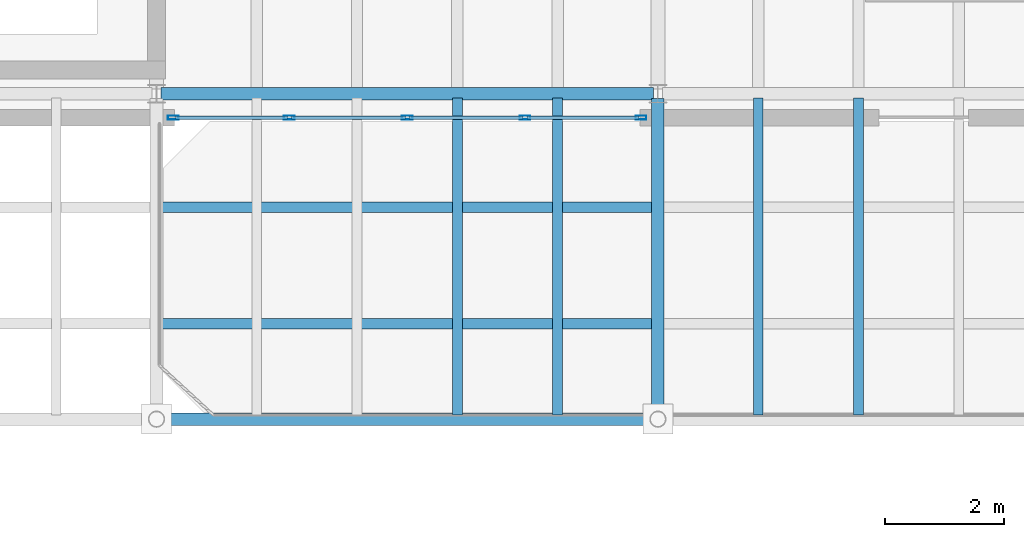
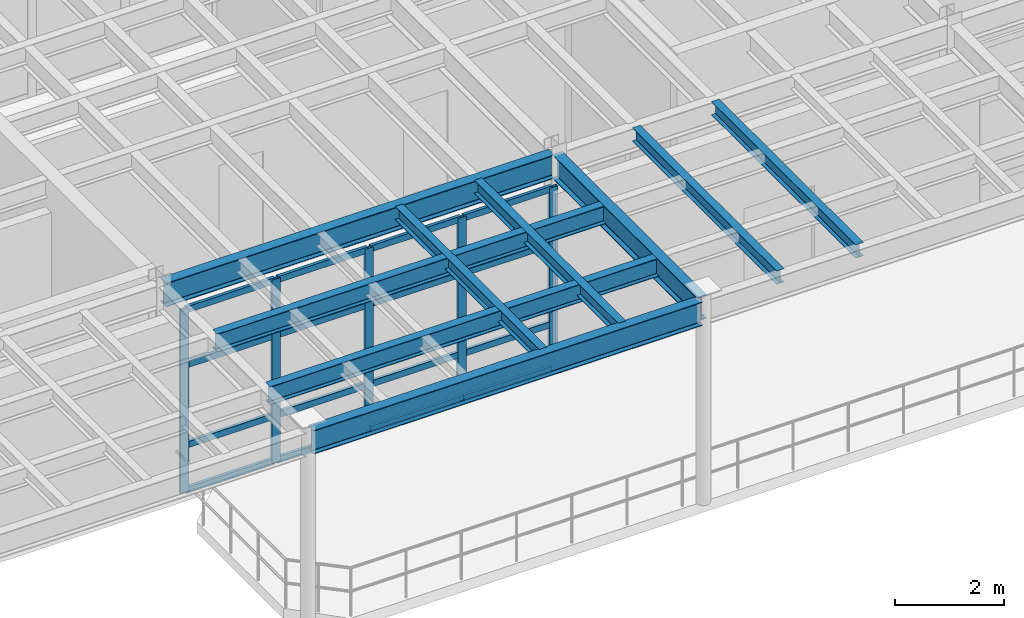
# One storey, part 39 of 105: 21 members, 9 beams, 1 element without a shape of its own.
"""IFC4 building model written with IfcOpenShell, lengths in metres."""

from ifc_helpers import new_model, si_unit, direction, frame, origin, origin_2d, place, context, subcontext, project, spatial, hollow_rectangle, i_section, extrude, material, layer, layer_set, material_profile, profile_set, type_object, element, aggregate, save


model = new_model("IFC4")

# Units and contexts
model_context = context("Model", 3, precision=1e-05, world=origin(), true_north=direction((0.0, 1.0)))
body_context = subcontext(model_context, "Body", "Model", "MODEL_VIEW")
ifc_project = project(units=[si_unit("LENGTHUNIT", "METRE"), si_unit("AREAUNIT", "SQUARE_METRE"), si_unit("VOLUMEUNIT", "CUBIC_METRE"), si_unit("PLANEANGLEUNIT", "RADIAN"), si_unit("MASSUNIT", "GRAM", prefix="KILO")], contexts=[model_context])

# Site, building, storey
site_placement = place(None, origin())
site = spatial("IfcSite", under=ifc_project, at=site_placement, CompositionType="ELEMENT")
building_placement = place(site_placement, origin())
building = spatial("IfcBuilding", under=site, at=building_placement, Name="Selat Folded Stagehouse", CompositionType="ELEMENT")
storey_placement = place(building_placement, frame((0.0, 0.0, 10.199951171875)))
storey = spatial("IfcBuildingStorey", under=building, at=storey_placement, Name="L02", CompositionType="ELEMENT", Elevation=10.199951171875)

# Beams
ifc_material_1 = material(Name="Steel S355", Category="steel")
ifc_material_profile_1 = material_profile(ifc_material_1, i_section(OverallWidth=0.210693359375, OverallDepth=0.53955078125, WebThickness=0.01171875, FlangeThickness=0.018798828125, FilletRadius=0.0126953125, at=origin_2d()), Name="UKB 533x210x109")
ifc_profile_set_1 = profile_set([ifc_material_profile_1], Name="Steel S355")
beam_type_1 = type_object("IfcBeamType", Name="BM-GIRD-533x210x109", PredefinedType="BEAM", material=ifc_profile_set_1)
beam_1_placement = place(storey_placement, frame((92.39990234375, 0.418212890625, 4.305419921875), z_axis=(0.0, 1.0, 0.0), x_axis=(-1.0, 0.0, 0.0)))
element("IfcBeam", 1, at=beam_1_placement, inside=storey, type_object=beam_type_1, Name="L02 primary y-girder 1065", PredefinedType="BEAM", context=body_context, shape_type="SweptSolid", body=[
    extrude(i_section(OverallWidth=0.210693359375, OverallDepth=0.53955078125, WebThickness=0.01171875, FlangeThickness=0.018798828125, FilletRadius=0.0126953125, at=origin_2d()), origin(), (0.0, 0.0, 1.0), 5.3046875),
])
ifc_material_profile_2 = material_profile(ifc_material_1, i_section(OverallWidth=0.209228515625, OverallDepth=0.533203125, WebThickness=0.010009765625, FlangeThickness=0.015625, FilletRadius=0.0126953125, at=origin_2d()), Name="UKB 533x210x92")
ifc_profile_set_2 = profile_set([ifc_material_profile_2], Name="Steel S355")
beam_type_2 = type_object("IfcBeamType", Name="BM-GIRD-533x210x92", PredefinedType="BEAM", material=ifc_profile_set_2)
beam_2_placement = place(storey_placement, frame((84.068359375, 0.35009765625, 4.308349609375), z_axis=(1.0, 0.0, 0.0), x_axis=(0.0, 1.0, 0.0)))
element("IfcBeam", 2, at=beam_2_placement, inside=storey, type_object=beam_type_2, Name="L02 primary x-girder 0987", PredefinedType="BEAM", context=body_context, shape_type="SweptSolid", body=[
    extrude(i_section(OverallWidth=0.209228515625, OverallDepth=0.533203125, WebThickness=0.010009765625, FlangeThickness=0.015625, FilletRadius=0.0126953125, at=origin_2d()), origin(), (0.0, 0.0, 1.0), 8.263427734375),
])
beam_3_placement = place(storey_placement, frame((84.076904296875, 5.800048828125, 4.308349609375), z_axis=(1.0, 0.0, 0.0), x_axis=(0.0, 1.0, 0.0)))
element("IfcBeam", 3, at=beam_3_placement, inside=storey, type_object=beam_type_2, Name="L02 primary x-girder 0995", PredefinedType="BEAM", context=body_context, shape_type="SweptSolid", body=[
    extrude(i_section(OverallWidth=0.209228515625, OverallDepth=0.533203125, WebThickness=0.010009765625, FlangeThickness=0.015625, FilletRadius=0.0126953125, at=origin_2d()), origin(), (0.0, 0.0, 1.0), 8.24609375),
])

# Curtain wall, members
ifc_material_2 = material(Name="Aluminium 6063-T6", Category="aluminium")
ifc_layer = layer(ifc_material_2, 0.2099609375)
ifc_layer_set = layer_set([ifc_layer], Name="Aluminium 6063-T6")
curtain_wall_type = type_object("IfcCurtainWallType", Name="CW-FYR-SOUTH", PredefinedType="NOTDEFINED", material=ifc_layer_set)
curtain_wall_placement = place(storey_placement, origin())
curtain_wall = element("IfcCurtainWall", 4, at=curtain_wall_placement, inside=storey, type_object=curtain_wall_type, Name="L02 curtain wall CW-FYR-L02-04", PredefinedType="NOTDEFINED")
ifc_material_profile_3 = material_profile(ifc_material_2, hollow_rectangle(XDim=0.06494140625, YDim=0.179931640625, WallThickness=0.00390625, at=origin_2d()), Name="ALU 180x65x4.0")
ifc_profile_set_3 = profile_set([ifc_material_profile_3], Name="Aluminium 6063-T6")
member_type_1 = type_object("IfcMemberType", Name="CWM-MUL-180x65", PredefinedType="MULLION", material=ifc_profile_set_3)
member_1_placement = place(storey_placement, frame((92.117431640625, 5.39990234375, 0.0), z_axis=(0.0, 0.0, 1.0), x_axis=(0.0, -1.0, 0.0)))
member_1 = element("IfcMember", 5, at=member_1_placement, type_object=member_type_1, Name="CW-04 mullion 1", PredefinedType="MULLION", context=body_context, shape_type="SweptSolid", body=[
    extrude(hollow_rectangle(XDim=0.06494140625, YDim=0.179931640625, WallThickness=0.00390625, at=origin_2d()), origin(), (0.0, 0.0, 1.0), 4.1201171875),
])
member_2_placement = place(storey_placement, frame((90.175048828125, 5.39990234375, 0.0), z_axis=(0.0, 0.0, 1.0), x_axis=(0.0, -1.0, 0.0)))
member_2 = element("IfcMember", 6, at=member_2_placement, type_object=member_type_1, Name="CW-04 mullion 2", PredefinedType="MULLION", context=body_context, shape_type="SweptSolid", body=[
    extrude(hollow_rectangle(XDim=0.06494140625, YDim=0.179931640625, WallThickness=0.00390625, at=origin_2d()), origin(), (0.0, 0.0, 1.0), 4.1201171875),
])
member_3_placement = place(storey_placement, frame((88.199951171875, 5.39990234375, 0.0), z_axis=(0.0, 0.0, 1.0), x_axis=(0.0, -1.0, 0.0)))
member_3 = element("IfcMember", 7, at=member_3_placement, type_object=member_type_1, Name="CW-04 mullion 3", PredefinedType="MULLION", context=body_context, shape_type="SweptSolid", body=[
    extrude(hollow_rectangle(XDim=0.06494140625, YDim=0.179931640625, WallThickness=0.00390625, at=origin_2d()), origin(), (0.0, 0.0, 1.0), 4.1201171875),
])
member_4_placement = place(storey_placement, frame((86.22509765625, 5.39990234375, 0.0), z_axis=(0.0, 0.0, 1.0), x_axis=(0.0, -1.0, 0.0)))
member_4 = element("IfcMember", 8, at=member_4_placement, type_object=member_type_1, Name="CW-04 mullion 4", PredefinedType="MULLION", context=body_context, shape_type="SweptSolid", body=[
    extrude(hollow_rectangle(XDim=0.06494140625, YDim=0.179931640625, WallThickness=0.00390625, at=origin_2d()), origin(), (0.0, 0.0, 1.0), 4.1201171875),
])
member_5_placement = place(storey_placement, frame((84.282470703125, 5.39990234375, 0.0), z_axis=(0.0, 0.0, 1.0), x_axis=(0.0, -1.0, 0.0)))
member_5 = element("IfcMember", 9, at=member_5_placement, type_object=member_type_1, Name="CW-04 mullion 5", PredefinedType="MULLION", context=body_context, shape_type="SweptSolid", body=[
    extrude(hollow_rectangle(XDim=0.06494140625, YDim=0.179931640625, WallThickness=0.00390625, at=origin_2d()), origin(), (0.0, 0.0, 1.0), 4.1201171875),
])
ifc_material_profile_4 = material_profile(ifc_material_2, hollow_rectangle(XDim=0.06494140625, YDim=0.139892578125, WallThickness=0.00390625, at=origin_2d()), Name="ALU 140x65x4.0")
ifc_profile_set_4 = profile_set([ifc_material_profile_4], Name="Aluminium 6063-T6")
member_type_2 = type_object("IfcMemberType", Name="CWM-TRN-140x65", PredefinedType="USERDEFINED", material=ifc_profile_set_4)
member_6_placement = place(storey_placement, frame((92.0849609375, 5.39990234375, 0.032470703125), z_axis=(-1.0, 0.0, 0.0), x_axis=(0.0, -1.0, 0.0)))
member_6 = element("IfcMember", 10, at=member_6_placement, type_object=member_type_2, Name="CW-04 transom 1.1", ObjectType="TRANSOM", PredefinedType="USERDEFINED", context=body_context, shape_type="SweptSolid", body=[
    extrude(hollow_rectangle(XDim=0.06494140625, YDim=0.139892578125, WallThickness=0.00390625, at=origin_2d()), origin(), (0.0, 0.0, 1.0), 1.87744140625),
])
member_7_placement = place(storey_placement, frame((92.0849609375, 5.39990234375, 1.050048828125), z_axis=(-1.0, 0.0, 0.0), x_axis=(0.0, -1.0, 0.0)))
member_7 = element("IfcMember", 11, at=member_7_placement, type_object=member_type_2, Name="CW-04 transom 1.2", ObjectType="TRANSOM", PredefinedType="USERDEFINED", context=body_context, shape_type="SweptSolid", body=[
    extrude(hollow_rectangle(XDim=0.06494140625, YDim=0.139892578125, WallThickness=0.00390625, at=origin_2d()), origin(), (0.0, 0.0, 1.0), 1.87744140625),
])
member_8_placement = place(storey_placement, frame((92.0849609375, 5.39990234375, 2.85009765625), z_axis=(-1.0, 0.0, 0.0), x_axis=(0.0, -1.0, 0.0)))
member_8 = element("IfcMember", 12, at=member_8_placement, type_object=member_type_2, Name="CW-04 transom 1.3", ObjectType="TRANSOM", PredefinedType="USERDEFINED", context=body_context, shape_type="SweptSolid", body=[
    extrude(hollow_rectangle(XDim=0.06494140625, YDim=0.139892578125, WallThickness=0.00390625, at=origin_2d()), origin(), (0.0, 0.0, 1.0), 1.87744140625),
])
member_9_placement = place(storey_placement, frame((92.0849609375, 5.39990234375, 4.087646484375), z_axis=(-1.0, 0.0, 0.0), x_axis=(0.0, -1.0, 0.0)))
member_9 = element("IfcMember", 13, at=member_9_placement, type_object=member_type_2, Name="CW-04 transom 1.4", ObjectType="TRANSOM", PredefinedType="USERDEFINED", context=body_context, shape_type="SweptSolid", body=[
    extrude(hollow_rectangle(XDim=0.06494140625, YDim=0.139892578125, WallThickness=0.00390625, at=origin_2d()), origin(), (0.0, 0.0, 1.0), 1.87744140625),
])
member_10_placement = place(storey_placement, frame((90.142578125, 5.39990234375, 0.032470703125), z_axis=(-1.0, 0.0, 0.0), x_axis=(0.0, -1.0, 0.0)))
member_10 = element("IfcMember", 14, at=member_10_placement, type_object=member_type_2, Name="CW-04 transom 2.1", ObjectType="TRANSOM", PredefinedType="USERDEFINED", context=body_context, shape_type="SweptSolid", body=[
    extrude(hollow_rectangle(XDim=0.06494140625, YDim=0.139892578125, WallThickness=0.00390625, at=origin_2d()), origin(), (0.0, 0.0, 1.0), 1.91015625),
])
member_11_placement = place(storey_placement, frame((90.142578125, 5.39990234375, 1.050048828125), z_axis=(-1.0, 0.0, 0.0), x_axis=(0.0, -1.0, 0.0)))
member_11 = element("IfcMember", 15, at=member_11_placement, type_object=member_type_2, Name="CW-04 transom 2.2", ObjectType="TRANSOM", PredefinedType="USERDEFINED", context=body_context, shape_type="SweptSolid", body=[
    extrude(hollow_rectangle(XDim=0.06494140625, YDim=0.139892578125, WallThickness=0.00390625, at=origin_2d()), origin(), (0.0, 0.0, 1.0), 1.91015625),
])
member_12_placement = place(storey_placement, frame((90.142578125, 5.39990234375, 2.85009765625), z_axis=(-1.0, 0.0, 0.0), x_axis=(0.0, -1.0, 0.0)))
member_12 = element("IfcMember", 16, at=member_12_placement, type_object=member_type_2, Name="CW-04 transom 2.3", ObjectType="TRANSOM", PredefinedType="USERDEFINED", context=body_context, shape_type="SweptSolid", body=[
    extrude(hollow_rectangle(XDim=0.06494140625, YDim=0.139892578125, WallThickness=0.00390625, at=origin_2d()), origin(), (0.0, 0.0, 1.0), 1.91015625),
])
member_13_placement = place(storey_placement, frame((90.142578125, 5.39990234375, 4.087646484375), z_axis=(-1.0, 0.0, 0.0), x_axis=(0.0, -1.0, 0.0)))
member_13 = element("IfcMember", 17, at=member_13_placement, type_object=member_type_2, Name="CW-04 transom 2.4", ObjectType="TRANSOM", PredefinedType="USERDEFINED", context=body_context, shape_type="SweptSolid", body=[
    extrude(hollow_rectangle(XDim=0.06494140625, YDim=0.139892578125, WallThickness=0.00390625, at=origin_2d()), origin(), (0.0, 0.0, 1.0), 1.91015625),
])
member_14_placement = place(storey_placement, frame((88.16748046875, 5.39990234375, 0.032470703125), z_axis=(-1.0, 0.0, 0.0), x_axis=(0.0, -1.0, 0.0)))
member_14 = element("IfcMember", 18, at=member_14_placement, type_object=member_type_2, Name="CW-04 transom 3.1", ObjectType="TRANSOM", PredefinedType="USERDEFINED", context=body_context, shape_type="SweptSolid", body=[
    extrude(hollow_rectangle(XDim=0.06494140625, YDim=0.139892578125, WallThickness=0.00390625, at=origin_2d()), origin(), (0.0, 0.0, 1.0), 1.909912109375),
])
member_15_placement = place(storey_placement, frame((88.16748046875, 5.39990234375, 1.050048828125), z_axis=(-1.0, 0.0, 0.0), x_axis=(0.0, -1.0, 0.0)))
member_15 = element("IfcMember", 19, at=member_15_placement, type_object=member_type_2, Name="CW-04 transom 3.2", ObjectType="TRANSOM", PredefinedType="USERDEFINED", context=body_context, shape_type="SweptSolid", body=[
    extrude(hollow_rectangle(XDim=0.06494140625, YDim=0.139892578125, WallThickness=0.00390625, at=origin_2d()), origin(), (0.0, 0.0, 1.0), 1.909912109375),
])
member_16_placement = place(storey_placement, frame((88.16748046875, 5.39990234375, 2.85009765625), z_axis=(-1.0, 0.0, 0.0), x_axis=(0.0, -1.0, 0.0)))
member_16 = element("IfcMember", 20, at=member_16_placement, type_object=member_type_2, Name="CW-04 transom 3.3", ObjectType="TRANSOM", PredefinedType="USERDEFINED", context=body_context, shape_type="SweptSolid", body=[
    extrude(hollow_rectangle(XDim=0.06494140625, YDim=0.139892578125, WallThickness=0.00390625, at=origin_2d()), origin(), (0.0, 0.0, 1.0), 1.909912109375),
])
member_17_placement = place(storey_placement, frame((88.16748046875, 5.39990234375, 4.087646484375), z_axis=(-1.0, 0.0, 0.0), x_axis=(0.0, -1.0, 0.0)))
member_17 = element("IfcMember", 21, at=member_17_placement, type_object=member_type_2, Name="CW-04 transom 3.4", ObjectType="TRANSOM", PredefinedType="USERDEFINED", context=body_context, shape_type="SweptSolid", body=[
    extrude(hollow_rectangle(XDim=0.06494140625, YDim=0.139892578125, WallThickness=0.00390625, at=origin_2d()), origin(), (0.0, 0.0, 1.0), 1.909912109375),
])
member_18_placement = place(storey_placement, frame((86.1923828125, 5.39990234375, 0.032470703125), z_axis=(-1.0, 0.0, 0.0), x_axis=(0.0, -1.0, 0.0)))
member_18 = element("IfcMember", 22, at=member_18_placement, type_object=member_type_2, Name="CW-04 transom 4.1", ObjectType="TRANSOM", PredefinedType="USERDEFINED", context=body_context, shape_type="SweptSolid", body=[
    extrude(hollow_rectangle(XDim=0.06494140625, YDim=0.139892578125, WallThickness=0.00390625, at=origin_2d()), origin(), (0.0, 0.0, 1.0), 1.87744140625),
])
member_19_placement = place(storey_placement, frame((86.1923828125, 5.39990234375, 1.050048828125), z_axis=(-1.0, 0.0, 0.0), x_axis=(0.0, -1.0, 0.0)))
member_19 = element("IfcMember", 23, at=member_19_placement, type_object=member_type_2, Name="CW-04 transom 4.2", ObjectType="TRANSOM", PredefinedType="USERDEFINED", context=body_context, shape_type="SweptSolid", body=[
    extrude(hollow_rectangle(XDim=0.06494140625, YDim=0.139892578125, WallThickness=0.00390625, at=origin_2d()), origin(), (0.0, 0.0, 1.0), 1.87744140625),
])
member_20_placement = place(storey_placement, frame((86.1923828125, 5.39990234375, 2.85009765625), z_axis=(-1.0, 0.0, 0.0), x_axis=(0.0, -1.0, 0.0)))
member_20 = element("IfcMember", 24, at=member_20_placement, type_object=member_type_2, Name="CW-04 transom 4.3", ObjectType="TRANSOM", PredefinedType="USERDEFINED", context=body_context, shape_type="SweptSolid", body=[
    extrude(hollow_rectangle(XDim=0.06494140625, YDim=0.139892578125, WallThickness=0.00390625, at=origin_2d()), origin(), (0.0, 0.0, 1.0), 1.87744140625),
])
member_21_placement = place(storey_placement, frame((86.1923828125, 5.39990234375, 4.087646484375), z_axis=(-1.0, 0.0, 0.0), x_axis=(0.0, -1.0, 0.0)))
member_21 = element("IfcMember", 25, at=member_21_placement, type_object=member_type_2, Name="CW-04 transom 4.4", ObjectType="TRANSOM", PredefinedType="USERDEFINED", context=body_context, shape_type="SweptSolid", body=[
    extrude(hollow_rectangle(XDim=0.06494140625, YDim=0.139892578125, WallThickness=0.00390625, at=origin_2d()), origin(), (0.0, 0.0, 1.0), 1.87744140625),
])
aggregate(curtain_wall, [member_1, member_2, member_3, member_4, member_5, member_6, member_7, member_8, member_9, member_10, member_11, member_12, member_13, member_14, member_15, member_16, member_17, member_18, member_19, member_20, member_21])

# Beams
ifc_material_profile_5 = material_profile(ifc_material_1, i_section(OverallWidth=0.1650390625, OverallDepth=0.303466796875, WebThickness=0.006103515625, FlangeThickness=0.01025390625, FilletRadius=0.0087890625, at=origin_2d()), Name="UKB 305x165x40")
ifc_profile_set_5 = profile_set([ifc_material_profile_5], Name="Steel S355")
beam_type_3 = type_object("IfcBeamType", Name="JST-305x165x40", PredefinedType="JOIST", material=ifc_profile_set_5)
for number, where, z_axis, x_axis, name in (
    (26, (89.0400390625, 0.42333984375, 4.42333984375), (0.0, 1.0, 0.0), (-1.0, 0.0, 0.0), "L02 secondary floor joist 1163"),
    (27, (90.719970703125, 0.42333984375, 4.42333984375), (0.0, 1.0, 0.0), (-1.0, 0.0, 0.0), "L02 secondary floor joist 1165"),
    (28, (94.080078125, 0.42333984375, 4.42333984375), (0.0, 1.0, 0.0), (-1.0, 0.0, 0.0), "L02 secondary floor joist 1167"),
    (29, (95.760009765625, 0.42333984375, 4.42333984375), (0.0, 1.0, 0.0), (-1.0, 0.0, 0.0), "L02 secondary floor joist 1169"),
):
    element("IfcBeam", number, at=place(storey_placement, frame(where, z_axis=z_axis, x_axis=x_axis)), inside=storey, type_object=beam_type_3, Name=name, PredefinedType="JOIST", context=body_context, shape_type="SweptSolid", body=[
        extrude(i_section(OverallWidth=0.1650390625, OverallDepth=0.303466796875, WebThickness=0.006103515625, FlangeThickness=0.01025390625, FilletRadius=0.0087890625, at=origin_2d()), origin(), (0.0, 0.0, 1.0), 5.303466796875),
    ])
ifc_material_profile_6 = material_profile(ifc_material_1, i_section(OverallWidth=0.177978515625, OverallDepth=0.406494140625, WebThickness=0.0078125, FlangeThickness=0.0126953125, FilletRadius=0.01025390625, at=origin_2d()), Name="UKB 406x178x60")
ifc_profile_set_6 = profile_set([ifc_material_profile_6], Name="Steel S355")
beam_type_4 = type_object("IfcBeamType", Name="JST-406x178x60", PredefinedType="JOIST", material=ifc_profile_set_6)
for number, where, z_axis, x_axis, name in (
    (30, (84.07373046875, 1.949951171875, 4.371826171875), (1.0, 0.0, 0.0), (0.0, 1.0, 0.0), "L02 secondary x-joist 1204"),
    (31, (84.07373046875, 3.89990234375, 4.371826171875), (1.0, 0.0, 0.0), (0.0, 1.0, 0.0), "L02 secondary x-joist 1213"),
):
    element("IfcBeam", number, at=place(storey_placement, frame(where, z_axis=z_axis, x_axis=x_axis)), inside=storey, type_object=beam_type_4, Name=name, PredefinedType="JOIST", context=body_context, shape_type="SweptSolid", body=[
        extrude(i_section(OverallWidth=0.177978515625, OverallDepth=0.406494140625, WebThickness=0.0078125, FlangeThickness=0.0126953125, FilletRadius=0.01025390625, at=origin_2d()), origin(), (0.0, 0.0, 1.0), 8.25244140625),
    ])

save(model, "model.ifc")
